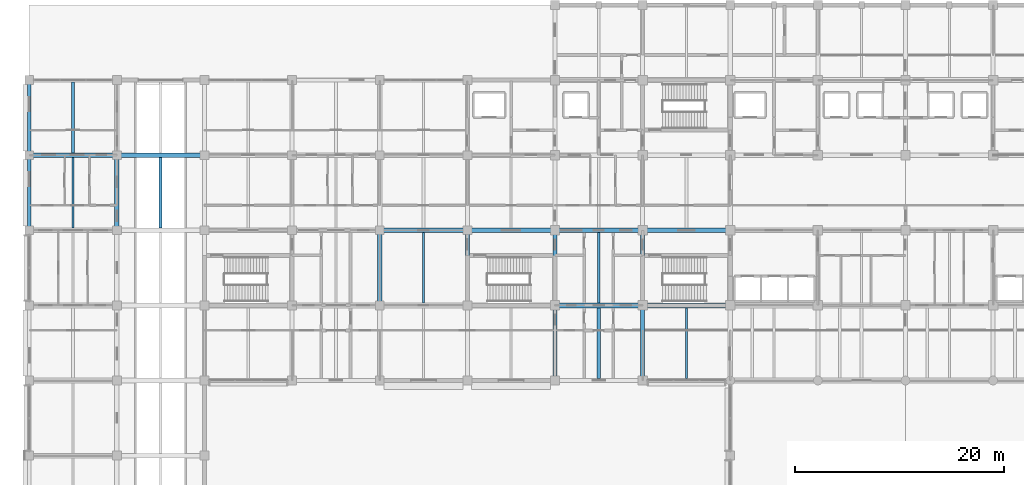
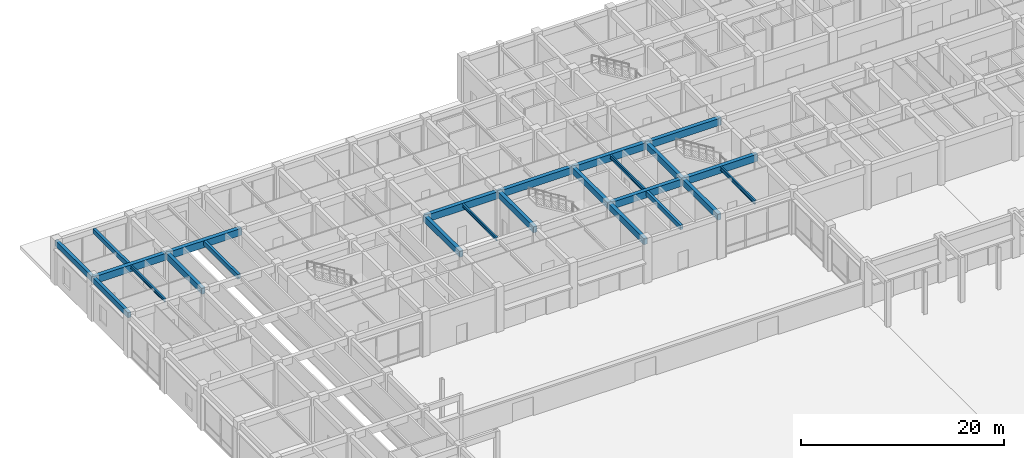
# One storey, part 15 of 73: 24 beams.
"""IFC4 building model written with IfcOpenShell, lengths in metres."""

from ifc_helpers import new_model, si_unit, direction, frame, origin, origin_2d, place, context, subcontext, project, spatial, rectangle, i_section, extrude, material, material_profile, profile_set, type_object, element, save


model = new_model("IFC4")

# Units and contexts
model_context = context("Model", 3, precision=1e-05, world=origin(), true_north=direction((0.0, 1.0)))
body_context = subcontext(model_context, "Body", "Model", "MODEL_VIEW")
ifc_project = project(units=[si_unit("LENGTHUNIT", "METRE"), si_unit("AREAUNIT", "SQUARE_METRE"), si_unit("VOLUMEUNIT", "CUBIC_METRE"), si_unit("PLANEANGLEUNIT", "RADIAN"), si_unit("MASSUNIT", "GRAM", prefix="KILO")], contexts=[model_context])

# Site, building, storey
site_placement = place(None, origin())
site = spatial("IfcSite", under=ifc_project, at=site_placement, CompositionType="ELEMENT")
building_placement = place(site_placement, origin())
building = spatial("IfcBuilding", under=site, at=building_placement, Name="Chengyuan Square Courthouse", CompositionType="ELEMENT")
storey_placement = place(building_placement, origin())
storey = spatial("IfcBuildingStorey", under=building, at=storey_placement, Name="L01", CompositionType="ELEMENT", Elevation=0.0)

# Beams
ifc_material_1 = material(Name="Concrete C40", Category="concrete")
ifc_material_profile_1 = material_profile(ifc_material_1, rectangle(XDim=0.449951171875, YDim=0.85009765625, at=origin_2d()), Name="RC-BM-450x850")
ifc_profile_set_1 = profile_set([ifc_material_profile_1], Name="Concrete C40")
beam_type_1 = type_object("IfcBeamType", Name="BM-01", PredefinedType="USERDEFINED", material=ifc_profile_set_1)
beam_1_placement = place(storey_placement, frame((50.39990234375, 86.39990234375, 4.695068359375), z_axis=(1.0, 0.0, 0.0), x_axis=(0.0, 1.0, 0.0)))
element("IfcBeam", 1, at=beam_1_placement, inside=storey, type_object=beam_type_1, Name="Girder BM-L01-1715", ObjectType="GIRDER", PredefinedType="USERDEFINED", context=body_context, shape_type="SweptSolid", body=[
    extrude(rectangle(XDim=0.449951171875, YDim=0.85009765625, at=origin_2d()), origin(), (0.0, 0.0, 1.0), 8.400146484375),
])
for number, where, z_axis, x_axis, name in (
    (2, (58.800048828125, 86.39990234375, 4.695068359375), (1.0, 0.0, 0.0), (0.0, 1.0, 0.0), "Girder BM-L01-1716"),
    (3, (33.60009765625, 93.60009765625, 4.695068359375), (1.0, 0.0, 0.0), (0.0, 1.0, 0.0), "Girder BM-L01-1733"),
    (4, (42.0, 93.60009765625, 4.695068359375), (1.0, 0.0, 0.0), (0.0, 1.0, 0.0), "Girder BM-L01-1734"),
):
    element("IfcBeam", number, at=place(storey_placement, frame(where, z_axis=z_axis, x_axis=x_axis)), inside=storey, type_object=beam_type_1, Name=name, ObjectType="GIRDER", PredefinedType="USERDEFINED", context=body_context, shape_type="SweptSolid", body=[
        extrude(rectangle(XDim=0.449951171875, YDim=0.85009765625, at=origin_2d()), origin(), (0.0, 0.0, 1.0), 8.39990234375),
    ])
beam_2_placement = place(storey_placement, frame((50.39990234375, 93.60009765625, 4.695068359375), z_axis=(1.0, 0.0, 0.0), x_axis=(0.0, 1.0, 0.0)))
element("IfcBeam", 5, at=beam_2_placement, inside=storey, type_object=beam_type_1, Name="Girder BM-L01-1735", ObjectType="GIRDER", PredefinedType="USERDEFINED", context=body_context, shape_type="SweptSolid", body=[
    extrude(rectangle(XDim=0.449951171875, YDim=0.85009765625, at=origin_2d()), origin(), (0.0, 0.0, 1.0), 8.400146484375),
])
for number, where, z_axis, x_axis, name in (
    (6, (58.800048828125, 93.60009765625, 4.695068359375), (1.0, 0.0, 0.0), (0.0, 1.0, 0.0), "Girder BM-L01-1736"),
    (7, (0.0, 100.800048828125, 4.695068359375), (1.0, 0.0, 0.0), (0.0, 1.0, 0.0), "Girder BM-L01-1749"),
):
    element("IfcBeam", number, at=place(storey_placement, frame(where, z_axis=z_axis, x_axis=x_axis)), inside=storey, type_object=beam_type_1, Name=name, ObjectType="GIRDER", PredefinedType="USERDEFINED", context=body_context, shape_type="SweptSolid", body=[
        extrude(rectangle(XDim=0.449951171875, YDim=0.85009765625, at=origin_2d()), origin(), (0.0, 0.0, 1.0), 8.39990234375),
    ])
beam_3_placement = place(storey_placement, frame((8.39990234375, 100.800048828125, 4.695068359375), z_axis=(1.0, 0.0, 0.0), x_axis=(0.0, 1.0, 0.0)))
element("IfcBeam", 8, at=beam_3_placement, inside=storey, type_object=beam_type_1, Name="Girder BM-L01-1750", ObjectType="GIRDER", PredefinedType="USERDEFINED", context=body_context, shape_type="SweptSolid", body=[
    extrude(rectangle(XDim=0.449951171875, YDim=0.85009765625, at=origin_2d()), origin(), (0.0, 0.0, 1.0), 8.400146484375),
])
ifc_material_profile_2 = material_profile(ifc_material_1, rectangle(XDim=0.39990234375, YDim=0.75, at=origin_2d()), Name="RC-BM-400x750")
ifc_profile_set_2 = profile_set([ifc_material_profile_2], Name="Concrete C40")
beam_type_2 = type_object("IfcBeamType", Name="BM-02", PredefinedType="USERDEFINED", material=ifc_profile_set_2)
beam_4_placement = place(storey_placement, frame((8.39990234375, 93.60009765625, 4.7451171875), z_axis=(0.0, 1.0, 0.0), x_axis=(-1.0, 0.0, 0.0)))
element("IfcBeam", 9, at=beam_4_placement, inside=storey, type_object=beam_type_2, Name="Girder BM-L01-1825", ObjectType="GIRDER", PredefinedType="USERDEFINED", context=body_context, shape_type="SweptSolid", body=[
    extrude(rectangle(XDim=0.39990234375, YDim=0.75, at=origin_2d()), origin(), (0.0, 0.0, 1.0), 7.199951171875),
])
for number, where, z_axis, x_axis, name in (
    (10, (33.60009765625, 86.39990234375, 4.7451171875), (0.0, 1.0, 0.0), (-1.0, 0.0, 0.0), "Girder BM-L01-1847"),
    (11, (42.0, 86.39990234375, 4.7451171875), (0.0, 1.0, 0.0), (-1.0, 0.0, 0.0), "Girder BM-L01-1851"),
):
    element("IfcBeam", number, at=place(storey_placement, frame(where, z_axis=z_axis, x_axis=x_axis)), inside=storey, type_object=beam_type_2, Name=name, ObjectType="GIRDER", PredefinedType="USERDEFINED", context=body_context, shape_type="SweptSolid", body=[
        extrude(rectangle(XDim=0.39990234375, YDim=0.75, at=origin_2d()), origin(), (0.0, 0.0, 1.0), 7.2001953125),
    ])
beam_5_placement = place(storey_placement, frame((50.39990234375, 79.199951171875, 4.7451171875), z_axis=(0.0, 1.0, 0.0), x_axis=(-1.0, 0.0, 0.0)))
element("IfcBeam", 12, at=beam_5_placement, inside=storey, type_object=beam_type_2, Name="Girder BM-L01-1854", ObjectType="GIRDER", PredefinedType="USERDEFINED", context=body_context, shape_type="SweptSolid", body=[
    extrude(rectangle(XDim=0.39990234375, YDim=0.75, at=origin_2d()), origin(), (0.0, 0.0, 1.0), 7.199951171875),
])
beam_6_placement = place(storey_placement, frame((50.39990234375, 86.39990234375, 4.7451171875), z_axis=(0.0, 1.0, 0.0), x_axis=(-1.0, 0.0, 0.0)))
element("IfcBeam", 13, at=beam_6_placement, inside=storey, type_object=beam_type_2, Name="Girder BM-L01-1855", ObjectType="GIRDER", PredefinedType="USERDEFINED", context=body_context, shape_type="SweptSolid", body=[
    extrude(rectangle(XDim=0.39990234375, YDim=0.75, at=origin_2d()), origin(), (0.0, 0.0, 1.0), 7.2001953125),
])
beam_7_placement = place(storey_placement, frame((58.800048828125, 79.199951171875, 4.7451171875), z_axis=(0.0, 1.0, 0.0), x_axis=(-1.0, 0.0, 0.0)))
element("IfcBeam", 14, at=beam_7_placement, inside=storey, type_object=beam_type_2, Name="Girder BM-L01-1859", ObjectType="GIRDER", PredefinedType="USERDEFINED", context=body_context, shape_type="SweptSolid", body=[
    extrude(rectangle(XDim=0.39990234375, YDim=0.75, at=origin_2d()), origin(), (0.0, 0.0, 1.0), 7.199951171875),
])
beam_8_placement = place(storey_placement, frame((58.800048828125, 86.39990234375, 4.7451171875), z_axis=(0.0, 1.0, 0.0), x_axis=(-1.0, 0.0, 0.0)))
element("IfcBeam", 15, at=beam_8_placement, inside=storey, type_object=beam_type_2, Name="Girder BM-L01-1860", ObjectType="GIRDER", PredefinedType="USERDEFINED", context=body_context, shape_type="SweptSolid", body=[
    extrude(rectangle(XDim=0.39990234375, YDim=0.75, at=origin_2d()), origin(), (0.0, 0.0, 1.0), 7.2001953125),
])
ifc_material_profile_3 = material_profile(ifc_material_1, rectangle(XDim=0.35009765625, YDim=0.64990234375, at=origin_2d()), Name="RC-BM-350x650")
ifc_profile_set_3 = profile_set([ifc_material_profile_3], Name="Concrete C40")
beam_type_3 = type_object("IfcBeamType", Name="BM-03", PredefinedType="SPANDREL", material=ifc_profile_set_3)
for number, where, z_axis, x_axis, name in (
    (16, (0.0, 93.60009765625, 4.794921875), (0.0, 1.0, 0.0), (-1.0, 0.0, 0.0), "Girder BM-L01-1810"),
    (17, (0.0, 100.800048828125, 4.794921875), (0.0, 1.0, 0.0), (-1.0, 0.0, 0.0), "Girder BM-L01-1811"),
):
    element("IfcBeam", number, at=place(storey_placement, frame(where, z_axis=z_axis, x_axis=x_axis)), inside=storey, type_object=beam_type_3, Name=name, PredefinedType="SPANDREL", context=body_context, shape_type="SweptSolid", body=[
        extrude(rectangle(XDim=0.35009765625, YDim=0.64990234375, at=origin_2d()), origin(), (0.0, 0.0, 1.0), 7.199951171875),
    ])
ifc_material_profile_4 = material_profile(ifc_material_1, rectangle(XDim=0.300048828125, YDim=0.550048828125, at=origin_2d()), Name="RC-BM-300x550")
ifc_profile_set_4 = profile_set([ifc_material_profile_4], Name="Concrete C40")
beam_type_4 = type_object("IfcBeamType", Name="BM-04", PredefinedType="BEAM", material=ifc_profile_set_4)
beam_9_placement = place(storey_placement, frame((4.199951171875, 101.02490234375, 4.844970703125), z_axis=(0.0, 1.0, 0.0), x_axis=(-1.0, 0.0, 0.0)))
element("IfcBeam", 18, at=beam_9_placement, inside=storey, type_object=beam_type_4, Name="Secondary Floor Beam SBM-L01-1971", PredefinedType="BEAM", context=body_context, shape_type="SweptSolid", body=[
    extrude(rectangle(XDim=0.300048828125, YDim=0.550048828125, at=origin_2d()), origin(), (0.0, 0.0, 1.0), 6.800048828125),
])
beam_10_placement = place(storey_placement, frame((12.60009765625, 93.824951171875, 4.844970703125), z_axis=(0.0, 1.0, 0.0), x_axis=(-1.0, 0.0, 0.0)))
element("IfcBeam", 19, at=beam_10_placement, inside=storey, type_object=beam_type_4, Name="Secondary Floor Beam SBM-L01-1984", PredefinedType="BEAM", context=body_context, shape_type="SweptSolid", body=[
    extrude(rectangle(XDim=0.300048828125, YDim=0.550048828125, at=origin_2d()), origin(), (0.0, 0.0, 1.0), 6.75),
])
beam_11_placement = place(storey_placement, frame((54.60009765625, 79.375, 4.844970703125), z_axis=(0.0, 1.0, 0.0), x_axis=(-1.0, 0.0, 0.0)))
element("IfcBeam", 20, at=beam_11_placement, inside=storey, type_object=beam_type_4, Name="Secondary Floor Beam SBM-L01-2000", PredefinedType="BEAM", context=body_context, shape_type="SweptSolid", body=[
    extrude(rectangle(XDim=0.300048828125, YDim=0.550048828125, at=origin_2d()), origin(), (0.0, 0.0, 1.0), 6.800048828125),
])
ifc_material_2 = material(Name="Steel Q355B", Category="steel")
ifc_material_profile_5 = material_profile(ifc_material_2, i_section(OverallWidth=0.199951171875, OverallDepth=0.449951171875, WebThickness=0.009033203125, FlangeThickness=0.013916015625, at=origin_2d()), Name="HN 450x200x9x14")
ifc_profile_set_5 = profile_set([ifc_material_profile_5], Name="Steel Q355B")
beam_type_5 = type_object("IfcBeamType", Name="BM-06", PredefinedType="BEAM", material=ifc_profile_set_5)
beam_12_placement = place(storey_placement, frame((54.60009765625, 86.625, 4.89501953125), z_axis=(0.0, 1.0, 0.0), x_axis=(-1.0, 0.0, 0.0)))
element("IfcBeam", 21, at=beam_12_placement, inside=storey, type_object=beam_type_5, Name="Secondary Floor Beam SBM-L01-2001", PredefinedType="BEAM", context=body_context, shape_type="SweptSolid", body=[
    extrude(i_section(OverallWidth=0.199951171875, OverallDepth=0.449951171875, WebThickness=0.009033203125, FlangeThickness=0.013916015625, at=origin_2d()), origin(), (0.0, 0.0, 1.0), 6.75),
])
beam_13_placement = place(storey_placement, frame((63.0, 79.375, 4.89501953125), z_axis=(0.0, 1.0, 0.0), x_axis=(-1.0, 0.0, 0.0)))
element("IfcBeam", 22, at=beam_13_placement, inside=storey, type_object=beam_type_5, Name="Secondary Floor Beam SBM-L01-2005", PredefinedType="BEAM", context=body_context, shape_type="SweptSolid", body=[
    extrude(i_section(OverallWidth=0.199951171875, OverallDepth=0.449951171875, WebThickness=0.009033203125, FlangeThickness=0.013916015625, at=origin_2d()), origin(), (0.0, 0.0, 1.0), 6.800048828125),
])
ifc_material_profile_6 = material_profile(ifc_material_2, i_section(OverallWidth=0.199951171875, OverallDepth=0.39990234375, WebThickness=0.008056640625, FlangeThickness=0.012939453125, at=origin_2d()), Name="HN 400x200x8x13")
ifc_profile_set_6 = profile_set([ifc_material_profile_6], Name="Steel Q355B")
beam_type_6 = type_object("IfcBeamType", Name="BM-07", PredefinedType="BEAM", material=ifc_profile_set_6)
for number, where, z_axis, x_axis, name in (
    (23, (4.199951171875, 93.824951171875, 4.919921875), (0.0, 1.0, 0.0), (-1.0, 0.0, 0.0), "Secondary Floor Beam SBM-L01-1970"),
    (24, (37.800048828125, 86.625, 4.919921875), (0.0, 1.0, 0.0), (-1.0, 0.0, 0.0), "Secondary Floor Beam SBM-L01-1994"),
):
    element("IfcBeam", number, at=place(storey_placement, frame(where, z_axis=z_axis, x_axis=x_axis)), inside=storey, type_object=beam_type_6, Name=name, PredefinedType="BEAM", context=body_context, shape_type="SweptSolid", body=[
        extrude(i_section(OverallWidth=0.199951171875, OverallDepth=0.39990234375, WebThickness=0.008056640625, FlangeThickness=0.012939453125, at=origin_2d()), origin(), (0.0, 0.0, 1.0), 6.75),
    ])

save(model, "model.ifc")
